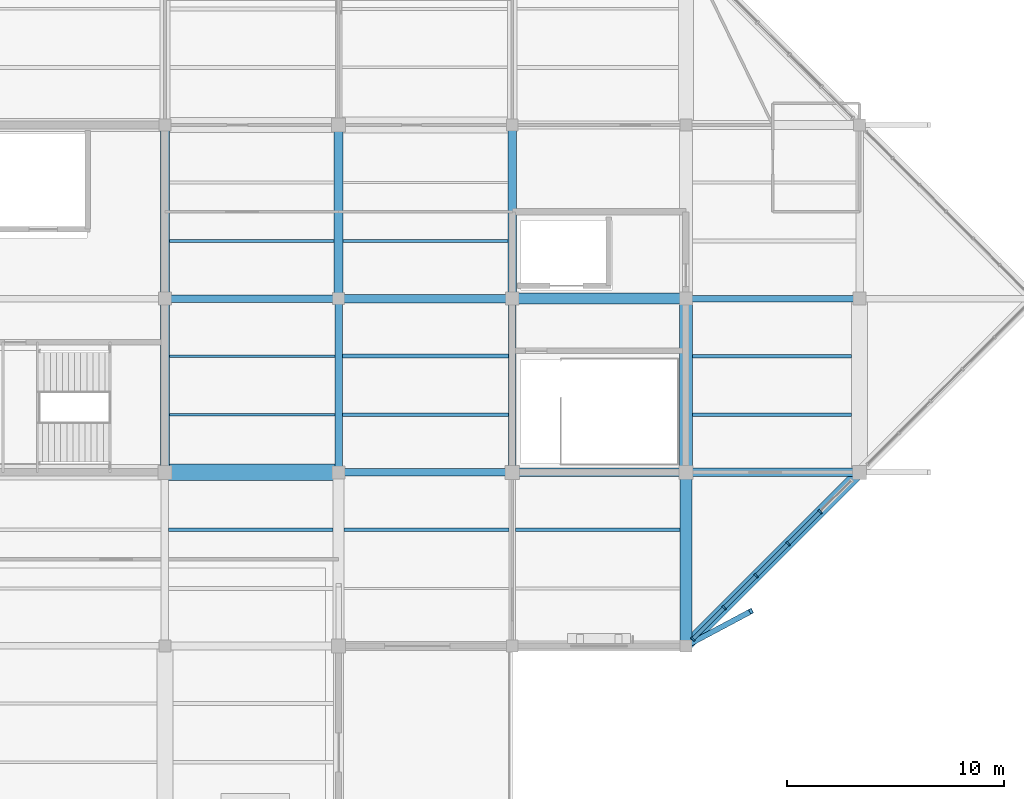
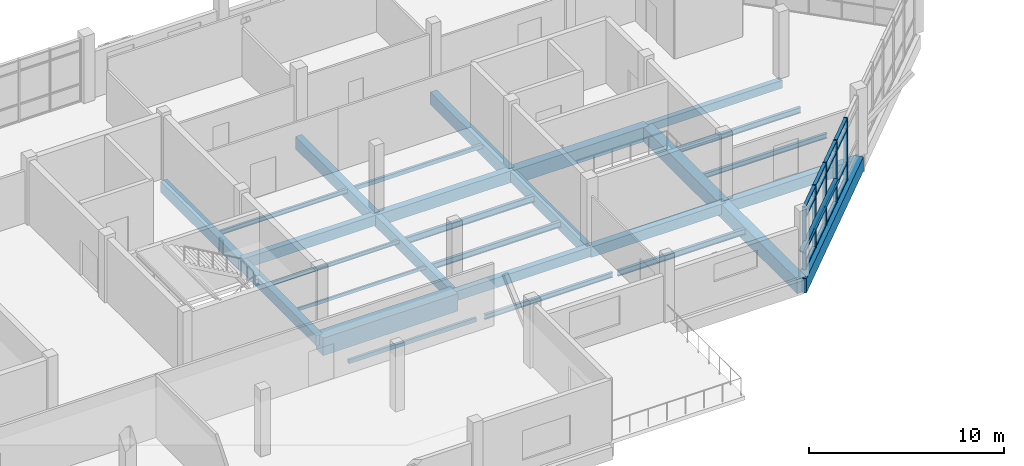
# One storey, part 18 of 72: 28 beams, 22 members, 1 element without a shape of its own.
"""IFC4 building model written with IfcOpenShell, lengths in metres."""

from ifc_helpers import new_model, si_unit, direction, frame, origin, origin_2d, place, context, subcontext, project, spatial, rectangle, hollow_rectangle, i_section, extrude, material, material_profile, profile_set, type_object, element, aggregate, save


model = new_model("IFC4")

# Units and contexts
model_context = context("Model", 3, precision=1e-05, world=origin(), true_north=direction((0.0, 1.0)))
body_context = subcontext(model_context, "Body", "Model", "MODEL_VIEW")
ifc_project = project(units=[si_unit("LENGTHUNIT", "METRE"), si_unit("AREAUNIT", "SQUARE_METRE"), si_unit("VOLUMEUNIT", "CUBIC_METRE"), si_unit("PLANEANGLEUNIT", "RADIAN"), si_unit("MASSUNIT", "GRAM", prefix="KILO")], contexts=[model_context])

# Site, building, storey
site_placement = place(None, origin())
site = spatial("IfcSite", under=ifc_project, at=site_placement, CompositionType="ELEMENT")
building_placement = place(site_placement, origin())
building = spatial("IfcBuilding", under=site, at=building_placement, Name="Tenunan Teduh Sports Hall", CompositionType="ELEMENT")
storey_placement = place(building_placement, frame((0.0, 0.0, 15.0)))
storey = spatial("IfcBuildingStorey", under=building, at=storey_placement, Name="L03", CompositionType="ELEMENT", Elevation=15.0)

# Beams
ifc_material_1 = material(Name="Concrete C40/50", Category="concrete")
ifc_material_profile_1 = material_profile(ifc_material_1, rectangle(XDim=0.300048828125, YDim=0.5, at=origin_2d()), Name="RCB 300x500")
ifc_profile_set_1 = profile_set([ifc_material_profile_1], Name="Concrete C40/50")
beam_type_1 = type_object("IfcBeamType", Name="BM-RC-300x500", PredefinedType="BEAM", material=ifc_profile_set_1)
beam_1_placement = place(storey_placement, frame((62.0, 102.0, -0.489990234375), z_axis=(1.0, 0.0, 0.0), x_axis=(0.0, 1.0, 0.0)))
element("IfcBeam", 1, at=beam_1_placement, inside=storey, type_object=beam_type_1, Name="BM-B-01-L03-1858", PredefinedType="BEAM", context=body_context, shape_type="SweptSolid", body=[
    extrude(rectangle(XDim=0.300048828125, YDim=0.5, at=origin_2d()), origin(), (0.0, 0.0, 1.0), 8.0),
])
ifc_material_2 = material(Name="Concrete C40/50", Category="concrete")
ifc_material_profile_2 = material_profile(ifc_material_2, rectangle(XDim=0.35009765625, YDim=0.60009765625, at=origin_2d()), Name="RCB 350x600")
ifc_profile_set_2 = profile_set([ifc_material_profile_2], Name="Concrete C40/50")
beam_type_2 = type_object("IfcBeamType", Name="BM-RC-350x600", PredefinedType="BEAM", material=ifc_profile_set_2)
beam_2_placement = place(storey_placement, frame((46.0, 94.0, -0.5400390625), z_axis=(1.0, 0.0, 0.0), x_axis=(0.0, 1.0, 0.0)))
element("IfcBeam", 2, at=beam_2_placement, inside=storey, type_object=beam_type_2, Name="BM-B-04-L03-1846", PredefinedType="BEAM", context=body_context, shape_type="SweptSolid", body=[
    extrude(rectangle(XDim=0.35009765625, YDim=0.60009765625, at=origin_2d()), origin(), (0.0, 0.0, 1.0), 8.0),
])
ifc_material_3 = material(Name="Concrete C40/50", Category="concrete")
ifc_material_profile_3 = material_profile(ifc_material_3, rectangle(XDim=0.35009765625, YDim=0.64990234375, at=origin_2d()), Name="RCB 350x650")
ifc_profile_set_3 = profile_set([ifc_material_profile_3], Name="Concrete C40/50")
beam_type_3 = type_object("IfcBeamType", Name="BM-RC-350x650", PredefinedType="BEAM", material=ifc_profile_set_3)
beam_3_placement = place(storey_placement, frame((38.0, 102.0, -0.56494140625), z_axis=(1.0, 0.0, 0.0), x_axis=(0.0, 1.0, 0.0)))
element("IfcBeam", 3, at=beam_3_placement, inside=storey, type_object=beam_type_3, Name="BM-B-05-L03-1855", PredefinedType="BEAM", context=body_context, shape_type="SweptSolid", body=[
    extrude(rectangle(XDim=0.35009765625, YDim=0.64990234375, at=origin_2d()), origin(), (0.0, 0.0, 1.0), 8.0),
])
ifc_material_4 = material(Name="Concrete C40/50", Category="concrete")
ifc_material_profile_4 = material_profile(ifc_material_4, rectangle(XDim=0.35009765625, YDim=0.699951171875, at=origin_2d()), Name="RCB 350x700")
ifc_profile_set_4 = profile_set([ifc_material_profile_4], Name="Concrete C40/50")
beam_type_4 = type_object("IfcBeamType", Name="BM-RC-350x700", PredefinedType="BEAM", material=ifc_profile_set_4)
beam_4_placement = place(storey_placement, frame((54.0, 94.0, -0.590087890625), z_axis=(0.0, 1.0, 0.0), x_axis=(-1.0, 0.0, 0.0)))
element("IfcBeam", 4, at=beam_4_placement, inside=storey, type_object=beam_type_4, Name="BM-B-06-L03-1923", PredefinedType="BEAM", context=body_context, shape_type="SweptSolid", body=[
    extrude(rectangle(XDim=0.35009765625, YDim=0.699951171875, at=origin_2d()), origin(), (0.0, 0.0, 1.0), 8.0),
])
ifc_material_5 = material(Name="Concrete C40/50", Category="concrete")
ifc_material_profile_5 = material_profile(ifc_material_5, rectangle(XDim=0.39990234375, YDim=0.64990234375, at=origin_2d()), Name="RCB 400x650")
ifc_profile_set_5 = profile_set([ifc_material_profile_5], Name="Concrete C40/50")
beam_type_5 = type_object("IfcBeamType", Name="BM-RC-400x650", PredefinedType="BEAM", material=ifc_profile_set_5)
for number, where, z_axis, x_axis, name in (
    (5, (54.0, 94.0, -0.56494140625), (1.0, 0.0, 0.0), (0.0, 1.0, 0.0), "BM-B-07-L03-1847"),
    (6, (38.0, 94.0, -0.56494140625), (0.0, 1.0, 0.0), (-1.0, 0.0, 0.0), "BM-B-07-L03-1910"),
):
    element("IfcBeam", number, at=place(storey_placement, frame(where, z_axis=z_axis, x_axis=x_axis)), inside=storey, type_object=beam_type_5, Name=name, PredefinedType="BEAM", context=body_context, shape_type="SweptSolid", body=[
        extrude(rectangle(XDim=0.39990234375, YDim=0.64990234375, at=origin_2d()), origin(), (0.0, 0.0, 1.0), 8.0),
    ])
ifc_material_6 = material(Name="Concrete C40/50", Category="concrete")
ifc_material_profile_6 = material_profile(ifc_material_6, rectangle(XDim=0.39990234375, YDim=0.699951171875, at=origin_2d()), Name="RCB 400x700")
ifc_profile_set_6 = profile_set([ifc_material_profile_6], Name="Concrete C40/50")
beam_type_6 = type_object("IfcBeamType", Name="BM-RC-400x700", PredefinedType="BEAM", material=ifc_profile_set_6)
for number, where, z_axis, x_axis, name in (
    (7, (62.0, 94.0, -0.590087890625), (1.0, 0.0, 0.0), (0.0, 1.0, 0.0), "BM-B-08-L03-1848"),
    (8, (38.0, 102.0, -0.590087890625), (0.0, 1.0, 0.0), (-1.0, 0.0, 0.0), "BM-B-08-L03-1911"),
):
    element("IfcBeam", number, at=place(storey_placement, frame(where, z_axis=z_axis, x_axis=x_axis)), inside=storey, type_object=beam_type_6, Name=name, PredefinedType="BEAM", context=body_context, shape_type="SweptSolid", body=[
        extrude(rectangle(XDim=0.39990234375, YDim=0.699951171875, at=origin_2d()), origin(), (0.0, 0.0, 1.0), 8.0),
    ])
ifc_material_7 = material(Name="Concrete C40/50", Category="concrete")
ifc_material_profile_7 = material_profile(ifc_material_7, rectangle(XDim=0.39990234375, YDim=0.75, at=origin_2d()), Name="RCB 400x750")
ifc_profile_set_7 = profile_set([ifc_material_profile_7], Name="Concrete C40/50")
beam_type_7 = type_object("IfcBeamType", Name="BM-RC-400x750", PredefinedType="BEAM", material=ifc_profile_set_7)
beam_5_placement = place(storey_placement, frame((46.0, 102.0, -0.614990234375), z_axis=(1.0, 0.0, 0.0), x_axis=(0.0, 1.0, 0.0)))
element("IfcBeam", 9, at=beam_5_placement, inside=storey, type_object=beam_type_7, Name="BM-B-09-L03-1856", PredefinedType="BEAM", context=body_context, shape_type="SweptSolid", body=[
    extrude(rectangle(XDim=0.39990234375, YDim=0.75, at=origin_2d()), origin(), (0.0, 0.0, 1.0), 8.0),
])
ifc_material_8 = material(Name="Concrete C40/50", Category="concrete")
ifc_material_profile_8 = material_profile(ifc_material_8, rectangle(XDim=0.39990234375, YDim=0.800048828125, at=origin_2d()), Name="RCB 400x800")
ifc_profile_set_8 = profile_set([ifc_material_profile_8], Name="Concrete C40/50")
beam_type_8 = type_object("IfcBeamType", Name="BM-RC-400x800", PredefinedType="BEAM", material=ifc_profile_set_8)
beam_6_placement = place(storey_placement, frame((54.0, 102.0, -0.639892578125), z_axis=(0.0, 1.0, 0.0), x_axis=(-1.0, 0.0, 0.0)))
element("IfcBeam", 10, at=beam_6_placement, inside=storey, type_object=beam_type_8, Name="BM-B-10-L03-1924", PredefinedType="BEAM", context=body_context, shape_type="SweptSolid", body=[
    extrude(rectangle(XDim=0.39990234375, YDim=0.800048828125, at=origin_2d()), origin(), (0.0, 0.0, 1.0), 8.0),
])
ifc_material_9 = material(Name="Concrete C40/50", Category="concrete")
ifc_material_profile_9 = material_profile(ifc_material_9, rectangle(XDim=0.5, YDim=0.89990234375, at=origin_2d()), Name="RCB 500x900")
ifc_profile_set_9 = profile_set([ifc_material_profile_9], Name="Concrete C40/50")
beam_type_9 = type_object("IfcBeamType", Name="BM-RC-500x900", PredefinedType="BEAM", material=ifc_profile_set_9)
beam_7_placement = place(storey_placement, frame((62.0, 86.0, -0.68994140625), z_axis=(0.707106781187, 0.707106781187, 0.0), x_axis=(-0.707106781187, 0.707106781187, 0.0)))
element("IfcBeam", 11, at=beam_7_placement, inside=storey, type_object=beam_type_9, Name="BM-B-15-L03-0605", PredefinedType="BEAM", context=body_context, shape_type="SweptSolid", body=[
    extrude(rectangle(XDim=0.5, YDim=0.89990234375, at=origin_2d()), origin(), (0.0, 0.0, 1.0), 11.313720703125),
])
beam_8_placement = place(storey_placement, frame((54.0, 102.0, -0.68994140625), z_axis=(1.0, 0.0, 0.0), x_axis=(0.0, 1.0, 0.0)))
element("IfcBeam", 12, at=beam_8_placement, inside=storey, type_object=beam_type_9, Name="BM-B-15-L03-1857", PredefinedType="BEAM", context=body_context, shape_type="SweptSolid", body=[
    extrude(rectangle(XDim=0.5, YDim=0.89990234375, at=origin_2d()), origin(), (0.0, 0.0, 1.0), 8.0),
])
ifc_material_10 = material(Name="Concrete C40/50", Category="concrete")
ifc_material_profile_10 = material_profile(ifc_material_10, rectangle(XDim=0.550048828125, YDim=0.89990234375, at=origin_2d()), Name="RCB 550x900")
ifc_profile_set_10 = profile_set([ifc_material_profile_10], Name="Concrete C40/50")
beam_type_10 = type_object("IfcBeamType", Name="BM-RC-550x900", PredefinedType="BEAM", material=ifc_profile_set_10)
beam_9_placement = place(storey_placement, frame((62.0, 86.0, -0.68994140625), z_axis=(0.0, 1.0, 0.0), x_axis=(-1.0, 0.0, 0.0)))
element("IfcBeam", 13, at=beam_9_placement, inside=storey, type_object=beam_type_10, Name="BM-B-16-L03-1926", PredefinedType="BEAM", context=body_context, shape_type="SweptSolid", body=[
    extrude(rectangle(XDim=0.550048828125, YDim=0.89990234375, at=origin_2d()), origin(), (0.0, 0.0, 1.0), 8.0),
])
ifc_material_11 = material(Name="Concrete C40/50", Category="concrete")
ifc_material_profile_11 = material_profile(ifc_material_11, rectangle(XDim=0.60009765625, YDim=0.89990234375, at=origin_2d()), Name="RCB 600x900")
ifc_profile_set_11 = profile_set([ifc_material_profile_11], Name="Concrete C40/50")
beam_type_11 = type_object("IfcBeamType", Name="BM-RC-600x900", PredefinedType="BEAM", material=ifc_profile_set_11)
beam_10_placement = place(storey_placement, frame((62.0, 94.0, -0.68994140625), z_axis=(0.0, 1.0, 0.0), x_axis=(-1.0, 0.0, 0.0)))
element("IfcBeam", 14, at=beam_10_placement, inside=storey, type_object=beam_type_11, Name="BM-B-17-L03-1927", PredefinedType="BEAM", context=body_context, shape_type="SweptSolid", body=[
    extrude(rectangle(XDim=0.60009765625, YDim=0.89990234375, at=origin_2d()), origin(), (0.0, 0.0, 1.0), 8.0),
])
ifc_material_12 = material(Name="Concrete C40/50", Category="concrete")
ifc_material_profile_12 = material_profile(ifc_material_12, rectangle(XDim=0.75, YDim=1.10009765625, at=origin_2d()), Name="RCB 750x1100")
ifc_profile_set_12 = profile_set([ifc_material_profile_12], Name="Concrete C40/50")
beam_type_12 = type_object("IfcBeamType", Name="BM-RC-750x1100", PredefinedType="SPANDREL", material=ifc_profile_set_12)
beam_11_placement = place(storey_placement, frame((38.0, 94.0, -0.7900390625), z_axis=(1.0, 0.0, 0.0), x_axis=(0.0, 1.0, 0.0)))
element("IfcBeam", 15, at=beam_11_placement, inside=storey, type_object=beam_type_12, Name="BM-B-20-L03-1845", PredefinedType="SPANDREL", context=body_context, shape_type="SweptSolid", body=[
    extrude(rectangle(XDim=0.75, YDim=1.10009765625, at=origin_2d()), origin(), (0.0, 0.0, 1.0), 8.0),
])
ifc_material_13 = material(Name="Concrete C40/50", Category="concrete")
ifc_material_profile_13 = material_profile(ifc_material_13, rectangle(XDim=0.35009765625, YDim=0.719970703125, at=origin_2d()), Name="TB 350x720")
ifc_profile_set_13 = profile_set([ifc_material_profile_13], Name="Concrete C40/50")
beam_type_13 = type_object("IfcBeamType", Name="BM-TB-350x720", PredefinedType="T_BEAM", material=ifc_profile_set_13)
beam_12_placement = place(storey_placement, frame((46.0, 94.0, -0.60009765625), z_axis=(0.0, 1.0, 0.0), x_axis=(-1.0, 0.0, 0.0)))
element("IfcBeam", 16, at=beam_12_placement, inside=storey, type_object=beam_type_13, Name="BM-TB-01-L03-1915", PredefinedType="T_BEAM", context=body_context, shape_type="SweptSolid", body=[
    extrude(rectangle(XDim=0.35009765625, YDim=0.719970703125, at=origin_2d()), origin(), (0.0, 0.0, 1.0), 8.0),
])
ifc_material_14 = material(Name="Concrete C40/50", Category="concrete")
ifc_material_profile_14 = material_profile(ifc_material_14, rectangle(XDim=0.39990234375, YDim=0.780029296875, at=origin_2d()), Name="TB 400x780")
ifc_profile_set_14 = profile_set([ifc_material_profile_14], Name="Concrete C40/50")
beam_type_14 = type_object("IfcBeamType", Name="BM-TB-400x780", PredefinedType="T_BEAM", material=ifc_profile_set_14)
beam_13_placement = place(storey_placement, frame((46.0, 102.0, -0.6298828125), z_axis=(0.0, 1.0, 0.0), x_axis=(-1.0, 0.0, 0.0)))
element("IfcBeam", 17, at=beam_13_placement, inside=storey, type_object=beam_type_14, Name="BM-TB-02-L03-1916", PredefinedType="T_BEAM", context=body_context, shape_type="SweptSolid", body=[
    extrude(rectangle(XDim=0.39990234375, YDim=0.780029296875, at=origin_2d()), origin(), (0.0, 0.0, 1.0), 8.0),
])

# Curtain wall, members
ifc_material_15 = material(Name="Anodised aluminium", Category="aluminium")
curtain_wall_type = type_object("IfcCurtainWallType", Name="CW-UNIT-2", PredefinedType="NOTDEFINED", material=ifc_material_15)
curtain_wall_placement = place(storey_placement, origin())
curtain_wall = element("IfcCurtainWall", 18, at=curtain_wall_placement, inside=storey, type_object=curtain_wall_type, Name="CW-CWM-220-L03-221", PredefinedType="NOTDEFINED")
ifc_material_16 = material(Name="Anodised aluminium", Category="aluminium")
ifc_material_profile_15 = material_profile(ifc_material_16, rectangle(XDim=0.074951171875, YDim=0.219970703125, at=origin_2d()), Name="CWM 75x220")
ifc_profile_set_15 = profile_set([ifc_material_profile_15], Name="Anodised aluminium")
member_type_1 = type_object("IfcMemberType", Name="CWM-220", PredefinedType="MULLION", material=ifc_profile_set_15)
member_1_placement = place(storey_placement, frame((62.3154296875, 86.315185546875, 0.0), z_axis=(0.0, 0.0, 1.0), x_axis=(0.707101844633, 0.707111717706, 0.0)))
member_1 = element("IfcMember", 19, at=member_1_placement, type_object=member_type_1, Name="CW-02 mullion 1", PredefinedType="MULLION", context=body_context, shape_type="SweptSolid", body=[
    extrude(rectangle(XDim=0.074951171875, YDim=0.219970703125, at=origin_2d()), origin(), (0.0, 0.0, 1.0), 3.919921875),
])
member_2_placement = place(storey_placement, frame((63.7626953125, 87.7626953125, 0.0), z_axis=(0.0, 0.0, 1.0), x_axis=(0.707101844633, 0.707111717706, 0.0)))
member_2 = element("IfcMember", 20, at=member_2_placement, type_object=member_type_1, Name="CW-02 mullion 2", PredefinedType="MULLION", context=body_context, shape_type="SweptSolid", body=[
    extrude(rectangle(XDim=0.074951171875, YDim=0.219970703125, at=origin_2d()), origin(), (0.0, 0.0, 1.0), 3.919921875),
])
member_3_placement = place(storey_placement, frame((65.23681640625, 89.23681640625, 0.0), z_axis=(0.0, 0.0, 1.0), x_axis=(0.707101844633, 0.707111717706, 0.0)))
member_3 = element("IfcMember", 21, at=member_3_placement, type_object=member_type_1, Name="CW-02 mullion 3", PredefinedType="MULLION", context=body_context, shape_type="SweptSolid", body=[
    extrude(rectangle(XDim=0.074951171875, YDim=0.219970703125, at=origin_2d()), origin(), (0.0, 0.0, 1.0), 3.919921875),
])
member_4_placement = place(storey_placement, frame((66.710693359375, 90.710693359375, 0.0), z_axis=(0.0, 0.0, 1.0), x_axis=(0.707101844633, 0.707111717706, 0.0)))
member_4 = element("IfcMember", 22, at=member_4_placement, type_object=member_type_1, Name="CW-02 mullion 4", PredefinedType="MULLION", context=body_context, shape_type="SweptSolid", body=[
    extrude(rectangle(XDim=0.074951171875, YDim=0.219970703125, at=origin_2d()), origin(), (0.0, 0.0, 1.0), 3.919921875),
])
member_5_placement = place(storey_placement, frame((68.184814453125, 92.184814453125, 0.0), z_axis=(0.0, 0.0, 1.0), x_axis=(0.707101844633, 0.707111717706, 0.0)))
member_5 = element("IfcMember", 23, at=member_5_placement, type_object=member_type_1, Name="CW-02 mullion 5", PredefinedType="MULLION", context=body_context, shape_type="SweptSolid", body=[
    extrude(rectangle(XDim=0.074951171875, YDim=0.219970703125, at=origin_2d()), origin(), (0.0, 0.0, 1.0), 3.919921875),
])
ifc_material_17 = material(Name="Anodised aluminium", Category="aluminium")
ifc_material_profile_16 = material_profile(ifc_material_17, rectangle(XDim=0.074951171875, YDim=0.179931640625, at=origin_2d()), Name="CWT 75x180")
ifc_profile_set_16 = profile_set([ifc_material_profile_16], Name="Anodised aluminium")
member_type_2 = type_object("IfcMemberType", Name="CWT-180", PredefinedType="USERDEFINED", material=ifc_profile_set_16)
member_6_placement = place(storey_placement, frame((62.341796875, 86.341796875, 0.03759765625), z_axis=(0.707168680497, 0.707044876457, 0.0), x_axis=(0.0, 0.0, 1.0)))
member_6 = element("IfcMember", 24, at=member_6_placement, type_object=member_type_2, Name="CW-02 transom 1.1", ObjectType="TRANSOM", PredefinedType="USERDEFINED", context=body_context, shape_type="SweptSolid", body=[
    extrude(rectangle(XDim=0.074951171875, YDim=0.179931640625, at=origin_2d()), origin(), (0.0, 0.0, 1.0), 1.971923828125),
])
member_7_placement = place(storey_placement, frame((62.341796875, 86.341796875, 1.10009765625), z_axis=(0.707168680497, 0.707044876457, 0.0), x_axis=(0.0, 0.0, 1.0)))
member_7 = element("IfcMember", 25, at=member_7_placement, type_object=member_type_2, Name="CW-02 transom 1.2", ObjectType="TRANSOM", PredefinedType="USERDEFINED", context=body_context, shape_type="SweptSolid", body=[
    extrude(rectangle(XDim=0.074951171875, YDim=0.179931640625, at=origin_2d()), origin(), (0.0, 0.0, 1.0), 1.971923828125),
])
member_8_placement = place(storey_placement, frame((62.341796875, 86.341796875, 3.199951171875), z_axis=(0.707168680497, 0.707044876457, 0.0), x_axis=(0.0, 0.0, 1.0)))
member_8 = element("IfcMember", 26, at=member_8_placement, type_object=member_type_2, Name="CW-02 transom 1.3", ObjectType="TRANSOM", PredefinedType="USERDEFINED", context=body_context, shape_type="SweptSolid", body=[
    extrude(rectangle(XDim=0.074951171875, YDim=0.179931640625, at=origin_2d()), origin(), (0.0, 0.0, 1.0), 1.971923828125),
])
member_9_placement = place(storey_placement, frame((62.341796875, 86.341796875, 3.882568359375), z_axis=(0.707168680497, 0.707044876457, 0.0), x_axis=(0.0, 0.0, 1.0)))
member_9 = element("IfcMember", 27, at=member_9_placement, type_object=member_type_2, Name="CW-02 transom 1.4", ObjectType="TRANSOM", PredefinedType="USERDEFINED", context=body_context, shape_type="SweptSolid", body=[
    extrude(rectangle(XDim=0.074951171875, YDim=0.179931640625, at=origin_2d()), origin(), (0.0, 0.0, 1.0), 1.971923828125),
])
member_10_placement = place(storey_placement, frame((63.789306640625, 87.789306640625, 0.03759765625), z_axis=(0.707106781187, 0.707106781187, 0.0), x_axis=(0.0, 0.0, 1.0)))
member_10 = element("IfcMember", 28, at=member_10_placement, type_object=member_type_2, Name="CW-02 transom 2.1", ObjectType="TRANSOM", PredefinedType="USERDEFINED", context=body_context, shape_type="SweptSolid", body=[
    extrude(rectangle(XDim=0.074951171875, YDim=0.179931640625, at=origin_2d()), origin(), (0.0, 0.0, 1.0), 2.009521484375),
])
member_11_placement = place(storey_placement, frame((63.789306640625, 87.789306640625, 1.10009765625), z_axis=(0.707106781187, 0.707106781187, 0.0), x_axis=(0.0, 0.0, 1.0)))
member_11 = element("IfcMember", 29, at=member_11_placement, type_object=member_type_2, Name="CW-02 transom 2.2", ObjectType="TRANSOM", PredefinedType="USERDEFINED", context=body_context, shape_type="SweptSolid", body=[
    extrude(rectangle(XDim=0.074951171875, YDim=0.179931640625, at=origin_2d()), origin(), (0.0, 0.0, 1.0), 2.009521484375),
])
member_12_placement = place(storey_placement, frame((63.789306640625, 87.789306640625, 3.199951171875), z_axis=(0.707106781187, 0.707106781187, 0.0), x_axis=(0.0, 0.0, 1.0)))
member_12 = element("IfcMember", 30, at=member_12_placement, type_object=member_type_2, Name="CW-02 transom 2.3", ObjectType="TRANSOM", PredefinedType="USERDEFINED", context=body_context, shape_type="SweptSolid", body=[
    extrude(rectangle(XDim=0.074951171875, YDim=0.179931640625, at=origin_2d()), origin(), (0.0, 0.0, 1.0), 2.009521484375),
])
member_13_placement = place(storey_placement, frame((63.789306640625, 87.789306640625, 3.882568359375), z_axis=(0.707106781187, 0.707106781187, 0.0), x_axis=(0.0, 0.0, 1.0)))
member_13 = element("IfcMember", 31, at=member_13_placement, type_object=member_type_2, Name="CW-02 transom 2.4", ObjectType="TRANSOM", PredefinedType="USERDEFINED", context=body_context, shape_type="SweptSolid", body=[
    extrude(rectangle(XDim=0.074951171875, YDim=0.179931640625, at=origin_2d()), origin(), (0.0, 0.0, 1.0), 2.009521484375),
])
member_14_placement = place(storey_placement, frame((65.26318359375, 89.26318359375, 0.03759765625), z_axis=(0.707167521364, 0.707046035791, 0.0), x_axis=(0.0, 0.0, 1.0)))
member_14 = element("IfcMember", 32, at=member_14_placement, type_object=member_type_2, Name="CW-02 transom 3.1", ObjectType="TRANSOM", PredefinedType="USERDEFINED", context=body_context, shape_type="SweptSolid", body=[
    extrude(rectangle(XDim=0.074951171875, YDim=0.179931640625, at=origin_2d()), origin(), (0.0, 0.0, 1.0), 2.009521484375),
])
member_15_placement = place(storey_placement, frame((65.26318359375, 89.26318359375, 1.10009765625), z_axis=(0.707167521364, 0.707046035791, 0.0), x_axis=(0.0, 0.0, 1.0)))
member_15 = element("IfcMember", 33, at=member_15_placement, type_object=member_type_2, Name="CW-02 transom 3.2", ObjectType="TRANSOM", PredefinedType="USERDEFINED", context=body_context, shape_type="SweptSolid", body=[
    extrude(rectangle(XDim=0.074951171875, YDim=0.179931640625, at=origin_2d()), origin(), (0.0, 0.0, 1.0), 2.009521484375),
])
member_16_placement = place(storey_placement, frame((65.26318359375, 89.26318359375, 3.199951171875), z_axis=(0.707167521364, 0.707046035791, 0.0), x_axis=(0.0, 0.0, 1.0)))
member_16 = element("IfcMember", 34, at=member_16_placement, type_object=member_type_2, Name="CW-02 transom 3.3", ObjectType="TRANSOM", PredefinedType="USERDEFINED", context=body_context, shape_type="SweptSolid", body=[
    extrude(rectangle(XDim=0.074951171875, YDim=0.179931640625, at=origin_2d()), origin(), (0.0, 0.0, 1.0), 2.009521484375),
])
member_17_placement = place(storey_placement, frame((65.26318359375, 89.26318359375, 3.882568359375), z_axis=(0.707167521364, 0.707046035791, 0.0), x_axis=(0.0, 0.0, 1.0)))
member_17 = element("IfcMember", 35, at=member_17_placement, type_object=member_type_2, Name="CW-02 transom 3.4", ObjectType="TRANSOM", PredefinedType="USERDEFINED", context=body_context, shape_type="SweptSolid", body=[
    extrude(rectangle(XDim=0.074951171875, YDim=0.179931640625, at=origin_2d()), origin(), (0.0, 0.0, 1.0), 2.009521484375),
])
member_18_placement = place(storey_placement, frame((66.7373046875, 90.7373046875, 0.03759765625), z_axis=(0.707106781187, 0.707106781187, 0.0), x_axis=(0.0, 0.0, 1.0)))
member_18 = element("IfcMember", 36, at=member_18_placement, type_object=member_type_2, Name="CW-02 transom 4.1", ObjectType="TRANSOM", PredefinedType="USERDEFINED", context=body_context, shape_type="SweptSolid", body=[
    extrude(rectangle(XDim=0.074951171875, YDim=0.179931640625, at=origin_2d()), origin(), (0.0, 0.0, 1.0), 2.009521484375),
])
member_19_placement = place(storey_placement, frame((66.7373046875, 90.7373046875, 1.10009765625), z_axis=(0.707106781187, 0.707106781187, 0.0), x_axis=(0.0, 0.0, 1.0)))
member_19 = element("IfcMember", 37, at=member_19_placement, type_object=member_type_2, Name="CW-02 transom 4.2", ObjectType="TRANSOM", PredefinedType="USERDEFINED", context=body_context, shape_type="SweptSolid", body=[
    extrude(rectangle(XDim=0.074951171875, YDim=0.179931640625, at=origin_2d()), origin(), (0.0, 0.0, 1.0), 2.009521484375),
])
member_20_placement = place(storey_placement, frame((66.7373046875, 90.7373046875, 3.199951171875), z_axis=(0.707106781187, 0.707106781187, 0.0), x_axis=(0.0, 0.0, 1.0)))
member_20 = element("IfcMember", 38, at=member_20_placement, type_object=member_type_2, Name="CW-02 transom 4.3", ObjectType="TRANSOM", PredefinedType="USERDEFINED", context=body_context, shape_type="SweptSolid", body=[
    extrude(rectangle(XDim=0.074951171875, YDim=0.179931640625, at=origin_2d()), origin(), (0.0, 0.0, 1.0), 2.009521484375),
])
member_21_placement = place(storey_placement, frame((66.7373046875, 90.7373046875, 3.882568359375), z_axis=(0.707106781187, 0.707106781187, 0.0), x_axis=(0.0, 0.0, 1.0)))
member_21 = element("IfcMember", 39, at=member_21_placement, type_object=member_type_2, Name="CW-02 transom 4.4", ObjectType="TRANSOM", PredefinedType="USERDEFINED", context=body_context, shape_type="SweptSolid", body=[
    extrude(rectangle(XDim=0.074951171875, YDim=0.179931640625, at=origin_2d()), origin(), (0.0, 0.0, 1.0), 2.009521484375),
])
aggregate(curtain_wall, [member_1, member_2, member_3, member_4, member_5, member_6, member_7, member_8, member_9, member_10, member_11, member_12, member_13, member_14, member_15, member_16, member_17, member_18, member_19, member_20, member_21])

# Beams
ifc_material_18 = material(Name="Steel S355", Category="steel")
ifc_material_profile_17 = material_profile(ifc_material_18, i_section(OverallWidth=0.1201171875, OverallDepth=0.239990234375, WebThickness=0.006103515625, FlangeThickness=0.009765625, FilletRadius=0.014892578125, at=origin_2d()), Name="IPE 240")
ifc_profile_set_17 = profile_set([ifc_material_profile_17], Name="Steel S355")
beam_type_15 = type_object("IfcBeamType", Name="JST-IPE240", PredefinedType="JOIST", material=ifc_profile_set_17)
beam_14_placement = place(storey_placement, frame((38.199951171875, 99.35009765625, -0.360107421875), z_axis=(1.0, 0.0, 0.0), x_axis=(0.0, 1.0, 0.0)))
element("IfcBeam", 40, at=beam_14_placement, inside=storey, type_object=beam_type_15, Name="BM-J-02-L03-1989", PredefinedType="JOIST", context=body_context, shape_type="SweptSolid", body=[
    extrude(i_section(OverallWidth=0.1201171875, OverallDepth=0.239990234375, WebThickness=0.006103515625, FlangeThickness=0.009765625, FilletRadius=0.014892578125, at=origin_2d()), origin(), (0.0, 0.0, 1.0), 7.625),
])
ifc_material_19 = material(Name="Steel S355", Category="steel")
ifc_material_profile_18 = material_profile(ifc_material_19, i_section(OverallWidth=0.135009765625, OverallDepth=0.27001953125, WebThickness=0.006591796875, FlangeThickness=0.01025390625, FilletRadius=0.014892578125, at=origin_2d()), Name="IPE 270")
ifc_profile_set_18 = profile_set([ifc_material_profile_18], Name="Steel S355")
beam_type_16 = type_object("IfcBeamType", Name="JST-IPE270", PredefinedType="JOIST", material=ifc_profile_set_18)
beam_15_placement = place(storey_placement, frame((38.199951171875, 104.64990234375, -0.375), z_axis=(1.0, 0.0, 0.0), x_axis=(0.0, 1.0, 0.0)))
element("IfcBeam", 41, at=beam_15_placement, inside=storey, type_object=beam_type_16, Name="BM-J-03-L03-1990", PredefinedType="JOIST", context=body_context, shape_type="SweptSolid", body=[
    extrude(i_section(OverallWidth=0.135009765625, OverallDepth=0.27001953125, WebThickness=0.006591796875, FlangeThickness=0.01025390625, FilletRadius=0.014892578125, at=origin_2d()), origin(), (0.0, 0.0, 1.0), 7.60009765625),
])
ifc_material_20 = material(Name="Steel S355", Category="steel")
ifc_material_profile_19 = material_profile(ifc_material_20, i_section(OverallWidth=0.169921875, OverallDepth=0.360107421875, WebThickness=0.008056640625, FlangeThickness=0.0126953125, FilletRadius=0.01806640625, at=origin_2d()), Name="IPE 360")
ifc_profile_set_19 = profile_set([ifc_material_profile_19], Name="Steel S355")
beam_type_17 = type_object("IfcBeamType", Name="JST-IPE360", PredefinedType="JOIST", material=ifc_profile_set_19)
beam_16_placement = place(storey_placement, frame((54.14990234375, 91.35009765625, -0.419921875), z_axis=(1.0, 0.0, 0.0), x_axis=(0.0, 1.0, 0.0)))
element("IfcBeam", 42, at=beam_16_placement, inside=storey, type_object=beam_type_17, Name="BM-J-05-L03-2003", PredefinedType="JOIST", context=body_context, shape_type="SweptSolid", body=[
    extrude(i_section(OverallWidth=0.169921875, OverallDepth=0.360107421875, WebThickness=0.008056640625, FlangeThickness=0.0126953125, FilletRadius=0.01806640625, at=origin_2d()), origin(), (0.0, 0.0, 1.0), 7.5751953125),
])

# Member
ifc_material_21 = material(Name="Steel S355", Category="steel")
ifc_material_profile_20 = material_profile(ifc_material_21, hollow_rectangle(XDim=0.25, YDim=0.25, WallThickness=0.012451171875, at=origin_2d()), Name="SHS 250x250x12.5")
ifc_profile_set_20 = profile_set([ifc_material_profile_20], Name="Steel S355")
member_type_3 = type_object("IfcMemberType", Name="MEM-ST-SHS250", PredefinedType="STRUT", material=ifc_profile_set_20)
member_22_placement = place(storey_placement, frame((62.0, 86.0, 1.39990234375), z_axis=(0.708865156827, 0.378084492012, 0.595451346742), x_axis=(-0.470610596591, 0.882341014787, 0.0)))
element("IfcMember", 43, at=member_22_placement, inside=storey, type_object=member_type_3, Name="MEM-VS-01-L03-1277", PredefinedType="STRUT", context=body_context, shape_type="SweptSolid", body=[
    extrude(hollow_rectangle(XDim=0.25, YDim=0.25, WallThickness=0.012451171875, at=origin_2d()), origin(), (0.0, 0.0, 1.0), 4.232177734375),
])

# Beams
ifc_material_22 = material(Name="Steel S355", Category="steel")
ifc_material_profile_21 = material_profile(ifc_material_22, hollow_rectangle(XDim=0.10009765625, YDim=0.199951171875, WallThickness=0.008056640625, at=origin_2d()), Name="RHS 200x100x8.0")
ifc_profile_set_21 = profile_set([ifc_material_profile_21], Name="Steel S355")
beam_type_18 = type_object("IfcBeamType", Name="RBM-RHS200", PredefinedType="JOIST", material=ifc_profile_set_21)
beam_17_placement = place(storey_placement, frame((38.199951171875, 96.64990234375, -0.340087890625), z_axis=(1.0, 0.0, 0.0), x_axis=(0.0, 1.0, 0.0)))
element("IfcBeam", 44, at=beam_17_placement, inside=storey, type_object=beam_type_18, Name="Perimeter Ring Beam BM-RB-05-L03-1988", PredefinedType="JOIST", context=body_context, shape_type="SweptSolid", body=[
    extrude(hollow_rectangle(XDim=0.10009765625, YDim=0.199951171875, WallThickness=0.008056640625, at=origin_2d()), origin(), (0.0, 0.0, 1.0), 7.625),
])
ifc_material_23 = material(Name="Steel S355", Category="steel")
ifc_material_profile_22 = material_profile(ifc_material_23, hollow_rectangle(XDim=0.14990234375, YDim=0.25, WallThickness=0.010009765625, at=origin_2d()), Name="RHS 250x150x10.0")
ifc_profile_set_22 = profile_set([ifc_material_profile_22], Name="Steel S355")
beam_type_19 = type_object("IfcBeamType", Name="RBM-RHS250", PredefinedType="BEAM", material=ifc_profile_set_22)
beam_18_placement = place(storey_placement, frame((38.175048828125, 91.35009765625, -0.364990234375), z_axis=(1.0, 0.0, 0.0), x_axis=(0.0, 1.0, 0.0)))
element("IfcBeam", 45, at=beam_18_placement, inside=storey, type_object=beam_type_19, Name="Perimeter Ring Beam BM-RB-04-L03-1987", PredefinedType="BEAM", context=body_context, shape_type="SweptSolid", body=[
    extrude(hollow_rectangle(XDim=0.14990234375, YDim=0.25, WallThickness=0.010009765625, at=origin_2d()), origin(), (0.0, 0.0, 1.0), 7.574951171875),
])
beam_19_placement = place(storey_placement, frame((46.199951171875, 104.64990234375, -0.364990234375), z_axis=(1.0, 0.0, 0.0), x_axis=(0.0, 1.0, 0.0)))
element("IfcBeam", 46, at=beam_19_placement, inside=storey, type_object=beam_type_19, Name="Perimeter Ring Beam BM-RB-04-L03-1998", PredefinedType="BEAM", context=body_context, shape_type="SweptSolid", body=[
    extrude(hollow_rectangle(XDim=0.14990234375, YDim=0.25, WallThickness=0.010009765625, at=origin_2d()), origin(), (0.0, 0.0, 1.0), 7.60009765625),
])
ifc_material_24 = material(Name="Steel S355", Category="steel")
ifc_material_profile_23 = material_profile(ifc_material_24, i_section(OverallWidth=0.1650390625, OverallDepth=0.303466796875, WebThickness=0.006103515625, FlangeThickness=0.01025390625, FilletRadius=0.0087890625, at=origin_2d()), Name="UKB 305x165x40")
ifc_profile_set_23 = profile_set([ifc_material_profile_23], Name="Steel S355")
beam_type_20 = type_object("IfcBeamType", Name="SBM-UKB305", PredefinedType="BEAM", material=ifc_profile_set_23)
beam_20_placement = place(storey_placement, frame((46.25, 91.35009765625, -0.3916015625), z_axis=(1.0, 0.0, 0.0), x_axis=(0.0, 1.0, 0.0)))
element("IfcBeam", 47, at=beam_20_placement, inside=storey, type_object=beam_type_20, Name="BM-SB-01-L03-1995", PredefinedType="BEAM", context=body_context, shape_type="SweptSolid", body=[
    extrude(i_section(OverallWidth=0.1650390625, OverallDepth=0.303466796875, WebThickness=0.006103515625, FlangeThickness=0.01025390625, FilletRadius=0.0087890625, at=origin_2d()), origin(), (0.0, 0.0, 1.0), 7.60009765625),
])
beam_21_placement = place(storey_placement, frame((62.300048828125, 96.64990234375, -0.3916015625), z_axis=(1.0, 0.0, 0.0), x_axis=(0.0, 1.0, 0.0)))
element("IfcBeam", 48, at=beam_21_placement, inside=storey, type_object=beam_type_20, Name="BM-SB-01-L03-2006", PredefinedType="BEAM", context=body_context, shape_type="SweptSolid", body=[
    extrude(i_section(OverallWidth=0.1650390625, OverallDepth=0.303466796875, WebThickness=0.006103515625, FlangeThickness=0.01025390625, FilletRadius=0.0087890625, at=origin_2d()), origin(), (0.0, 0.0, 1.0), 7.324951171875),
])
ifc_material_25 = material(Name="Steel S355", Category="steel")
ifc_material_profile_24 = material_profile(ifc_material_25, i_section(OverallWidth=0.17138671875, OverallDepth=0.35498046875, WebThickness=0.00732421875, FlangeThickness=0.011474609375, FilletRadius=0.01025390625, at=origin_2d()), Name="UKB 356x171x51")
ifc_profile_set_24 = profile_set([ifc_material_profile_24], Name="Steel S355")
beam_type_21 = type_object("IfcBeamType", Name="SBM-UKB356", PredefinedType="BEAM", material=ifc_profile_set_24)
beam_22_placement = place(storey_placement, frame((46.175048828125, 96.64990234375, -0.41748046875), z_axis=(1.0, 0.0, 0.0), x_axis=(0.0, 1.0, 0.0)))
element("IfcBeam", 49, at=beam_22_placement, inside=storey, type_object=beam_type_21, Name="BM-SB-02-L03-1996", PredefinedType="BEAM", context=body_context, shape_type="SweptSolid", body=[
    extrude(i_section(OverallWidth=0.17138671875, OverallDepth=0.35498046875, WebThickness=0.00732421875, FlangeThickness=0.011474609375, FilletRadius=0.01025390625, at=origin_2d()), origin(), (0.0, 0.0, 1.0), 7.64990234375),
])
beam_23_placement = place(storey_placement, frame((62.300048828125, 99.35009765625, -0.41748046875), z_axis=(1.0, 0.0, 0.0), x_axis=(0.0, 1.0, 0.0)))
element("IfcBeam", 50, at=beam_23_placement, inside=storey, type_object=beam_type_21, Name="BM-SB-02-L03-2007", PredefinedType="BEAM", context=body_context, shape_type="SweptSolid", body=[
    extrude(i_section(OverallWidth=0.17138671875, OverallDepth=0.35498046875, WebThickness=0.00732421875, FlangeThickness=0.011474609375, FilletRadius=0.01025390625, at=origin_2d()), origin(), (0.0, 0.0, 1.0), 7.324951171875),
])
ifc_material_26 = material(Name="Steel S355", Category="steel")
ifc_material_profile_25 = material_profile(ifc_material_26, i_section(OverallWidth=0.177978515625, OverallDepth=0.406494140625, WebThickness=0.0078125, FlangeThickness=0.0126953125, FilletRadius=0.01025390625, at=origin_2d()), Name="UKB 406x178x60")
ifc_profile_set_25 = profile_set([ifc_material_profile_25], Name="Steel S355")
beam_type_22 = type_object("IfcBeamType", Name="SBM-UKB406", PredefinedType="BEAM", material=ifc_profile_set_25)
beam_24_placement = place(storey_placement, frame((46.175048828125, 99.35009765625, -0.443115234375), z_axis=(1.0, 0.0, 0.0), x_axis=(0.0, 1.0, 0.0)))
element("IfcBeam", 51, at=beam_24_placement, inside=storey, type_object=beam_type_22, Name="BM-SB-03-L03-1997", PredefinedType="BEAM", context=body_context, shape_type="SweptSolid", body=[
    extrude(i_section(OverallWidth=0.177978515625, OverallDepth=0.406494140625, WebThickness=0.0078125, FlangeThickness=0.0126953125, FilletRadius=0.01025390625, at=origin_2d()), origin(), (0.0, 0.0, 1.0), 7.64990234375),
])

save(model, "model.ifc")
